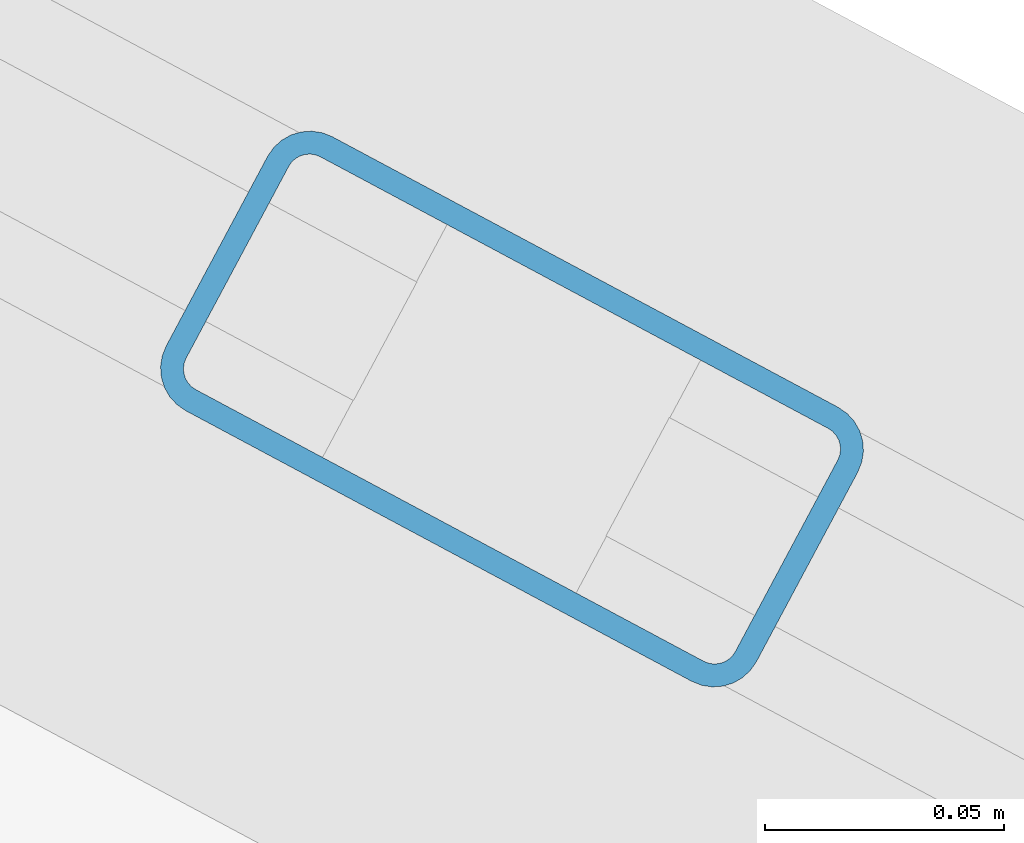
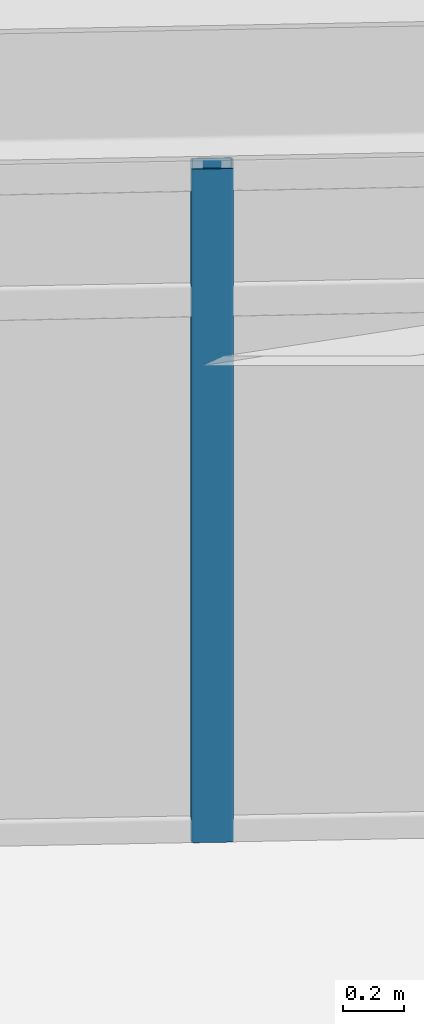
# One storey, part 16 of 26: 1 member, 1 element without a shape of its own.
"""IFC4 building model written with IfcOpenShell, lengths in metres."""

from ifc_helpers import new_model, si_unit, direction, frame, origin, origin_2d, place, context, subcontext, project, spatial, hollow_rectangle, extrude, material, layer, layer_set, material_profile, profile_set, type_object, element, aggregate, save


model = new_model("IFC4")

# Units and contexts
model_context = context("Model", 3, precision=1e-05, world=origin(), true_north=direction((0.0, 1.0)))
body_context = subcontext(model_context, "Body", "Model", "MODEL_VIEW")
ifc_project = project(units=[si_unit("LENGTHUNIT", "METRE"), si_unit("AREAUNIT", "SQUARE_METRE"), si_unit("VOLUMEUNIT", "CUBIC_METRE"), si_unit("PLANEANGLEUNIT", "RADIAN"), si_unit("MASSUNIT", "GRAM", prefix="KILO")], contexts=[model_context])

# Site, building, storey
site_placement = place(None, origin())
site = spatial("IfcSite", under=ifc_project, at=site_placement, CompositionType="ELEMENT")
building_placement = place(site_placement, origin())
building = spatial("IfcBuilding", under=site, at=building_placement, Name="Soratama Intermodal Tower", CompositionType="ELEMENT")
storey_placement = place(building_placement, frame((0.0, 0.0, 194.199951171875)))
storey = spatial("IfcBuildingStorey", under=building, at=storey_placement, Name="L48", CompositionType="ELEMENT", Elevation=194.199951171875)

# Curtain wall, member
ifc_material_1 = material(Name="Double-glazed aluminium curtain wall", Category="aluminium")
ifc_layer = layer(ifc_material_1, 0.159912109375)
ifc_layer_set = layer_set([ifc_layer], Name="Double-glazed aluminium curtain wall")
curtain_wall_type = type_object("IfcCurtainWallType", Name="CW-SYS-5", PredefinedType="NOTDEFINED", material=ifc_layer_set)
curtain_wall_placement = place(storey_placement, origin())
curtain_wall = element("IfcCurtainWall", 1, at=curtain_wall_placement, inside=storey, type_object=curtain_wall_type, Name="L48 Faceted Curtain Wall F01", PredefinedType="NOTDEFINED")
ifc_material_2 = material(Name="Anodised aluminium AA 6063-T6", Category="aluminium")
ifc_material_profile = material_profile(ifc_material_2, hollow_rectangle(XDim=0.06494140625, YDim=0.139892578125, WallThickness=0.0048828125, InnerFilletRadius=0.0048828125, OuterFilletRadius=0.010009765625, at=origin_2d()), Name="CWM140X65X5")
ifc_profile_set = profile_set([ifc_material_profile], Name="Anodised aluminium AA 6063-T6")
member_type = type_object("IfcMemberType", Name="MT-CWM-5", PredefinedType="MULLION", material=ifc_profile_set)
member_placement = place(storey_placement, frame((54.1376953125, 42.08447265625, 0.0), z_axis=(0.0, 0.0, 1.0), x_axis=(-0.471624757296, -0.881799346964, 0.0)))
member = element("IfcMember", 2, at=member_placement, type_object=member_type, Name="CW-5 mullion 2", PredefinedType="MULLION", context=body_context, shape_type="SweptSolid", body=[
    extrude(hollow_rectangle(XDim=0.06494140625, YDim=0.139892578125, WallThickness=0.0048828125, InnerFilletRadius=0.0048828125, OuterFilletRadius=0.010009765625, at=origin_2d()), origin(), (0.0, 0.0, 1.0), 2.678955078125),
])
aggregate(curtain_wall, [member])

save(model, "model.ifc")
